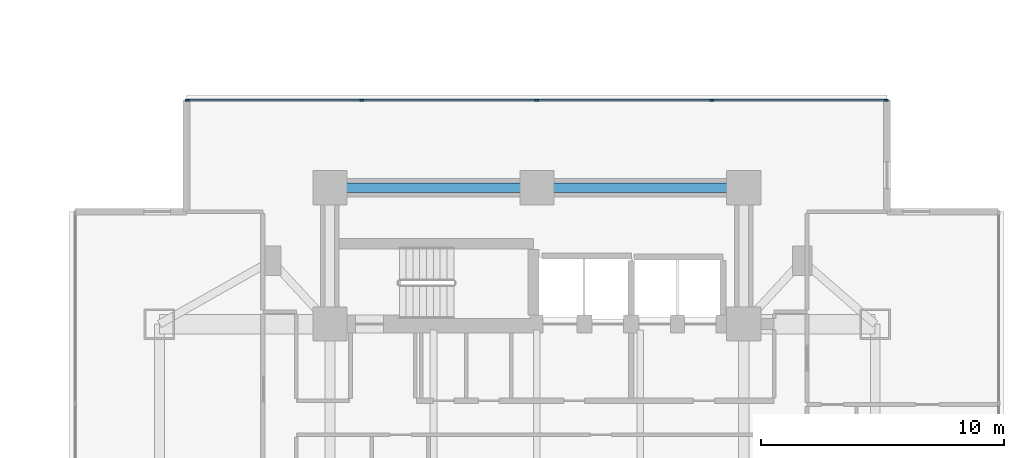
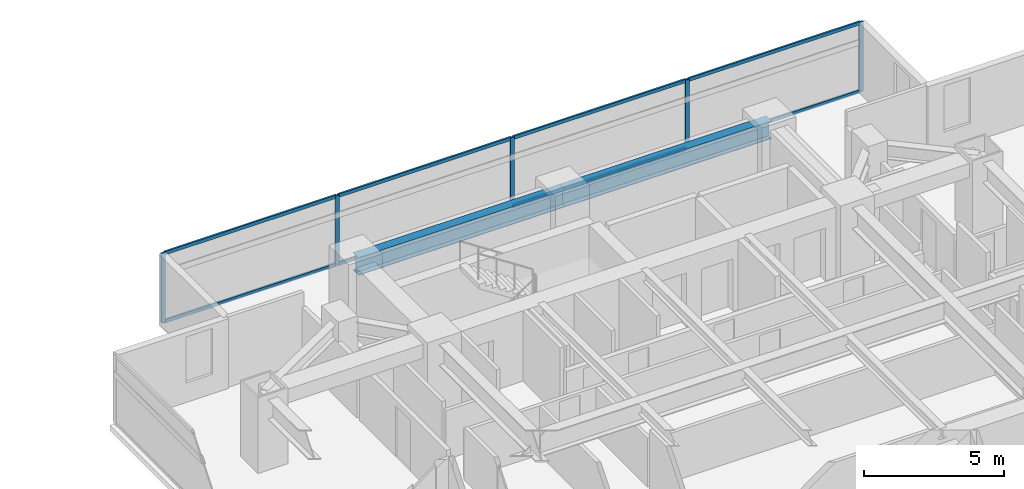
# One storey, part 12 of 26: 13 members, 2 beams, 1 element without a shape of its own.
"""IFC4 building model written with IfcOpenShell, lengths in metres."""

from ifc_helpers import new_model, si_unit, direction, frame, origin, origin_2d, place, context, subcontext, project, spatial, rectangle, i_section, extrude, material, material_profile, profile_set, type_object, element, aggregate, save


model = new_model("IFC4")

# Units and contexts
model_context = context("Model", 3, precision=1e-05, world=origin(), true_north=direction((0.0, 1.0)))
body_context = subcontext(model_context, "Body", "Model", "MODEL_VIEW")
ifc_project = project(units=[si_unit("LENGTHUNIT", "METRE"), si_unit("AREAUNIT", "SQUARE_METRE"), si_unit("VOLUMEUNIT", "CUBIC_METRE"), si_unit("PLANEANGLEUNIT", "RADIAN"), si_unit("MASSUNIT", "GRAM", prefix="KILO")], contexts=[model_context])

# Site, building, storey
site_placement = place(None, origin())
site = spatial("IfcSite", under=ifc_project, at=site_placement, CompositionType="ELEMENT")
building_placement = place(site_placement, origin())
building = spatial("IfcBuilding", under=site, at=building_placement, Name="Mirazonda Arch Towers", CompositionType="ELEMENT")
storey_placement = place(building_placement, frame((0.0, 0.0, 38.89990234375)))
storey = spatial("IfcBuildingStorey", under=building, at=storey_placement, Name="L10", CompositionType="ELEMENT", Elevation=38.89990234375)

# Beams
ifc_material_1 = material(Name="Steel ASTM A992 Grade 50", Category="steel")
ifc_material_profile_1 = material_profile(ifc_material_1, i_section(OverallWidth=0.381103515625, OverallDepth=0.77294921875, WebThickness=0.0166015625, FlangeThickness=0.027099609375, at=origin_2d()), Name="W30X173")
ifc_profile_set_1 = profile_set([ifc_material_profile_1], Name="Steel ASTM A992 Grade 50")
beam_type = type_object("IfcBeamType", Name="BM-INT-W30X173", PredefinedType="USERDEFINED", material=ifc_profile_set_1)
for number, where, z_axis, x_axis, name in (
    (1, (68.0, 40.800048828125, 2.673583984375), (1.0, 0.0, 0.0), (0.0, 1.0, 0.0), "L10 Floor Beam BM-T2-L10-CN1"),
    (2, (76.5, 40.800048828125, 2.673583984375), (1.0, 0.0, 0.0), (0.0, 1.0, 0.0), "L10 Floor Beam BM-T2-L10-CN2"),
):
    element("IfcBeam", number, at=place(storey_placement, frame(where, z_axis=z_axis, x_axis=x_axis)), inside=storey, type_object=beam_type, Name=name, ObjectType="GIRDER", PredefinedType="USERDEFINED", context=body_context, shape_type="SweptSolid", body=[
        extrude(i_section(OverallWidth=0.381103515625, OverallDepth=0.77294921875, WebThickness=0.0166015625, FlangeThickness=0.027099609375, at=origin_2d()), origin(), (0.0, 0.0, 1.0), 8.5),
    ])

# Curtain wall, members
ifc_material_2 = material(Name="Anodised Aluminium and Low-E Glass", Category="aluminium")
curtain_wall_type = type_object("IfcCurtainWallType", Name="CW-HTL-UNIT", PredefinedType="NOTDEFINED", material=ifc_material_2)
curtain_wall_placement = place(storey_placement, origin())
curtain_wall = element("IfcCurtainWall", 3, at=curtain_wall_placement, inside=storey, type_object=curtain_wall_type, Name="L10 T2 N Facade CW-L10-T2-N", PredefinedType="NOTDEFINED")
ifc_material_3 = material(Name="Anodised Aluminium Alloy", Category="aluminium")
ifc_material_profile_2 = material_profile(ifc_material_3, rectangle(XDim=0.074951171875, YDim=0.1650390625, at=origin_2d()), Name="ALU-MULL-75x165")
ifc_profile_set_2 = profile_set([ifc_material_profile_2], Name="Anodised Aluminium Alloy")
member_type_1 = type_object("IfcMemberType", Name="MULL-CW-HTL-UNIT", PredefinedType="MULLION", material=ifc_profile_set_2)
member_1_placement = place(storey_placement, frame((62.1474609375, 44.396484375, 0.0), z_axis=(0.0, 0.0, 1.0), x_axis=(0.0, 1.0, 0.0)))
member_1 = element("IfcMember", 4, at=member_1_placement, type_object=member_type_1, Name="CW-112 mullion 1", PredefinedType="MULLION", context=body_context, shape_type="SweptSolid", body=[
    extrude(rectangle(XDim=0.074951171875, YDim=0.1650390625, at=origin_2d()), origin(), (0.0, 0.0, 1.0), 3.0400390625),
])
member_2_placement = place(storey_placement, frame((69.304931640625, 44.396484375, 0.0), z_axis=(0.0, 0.0, 1.0), x_axis=(0.0, 1.0, 0.0)))
member_2 = element("IfcMember", 5, at=member_2_placement, type_object=member_type_1, Name="CW-112 mullion 2", PredefinedType="MULLION", context=body_context, shape_type="SweptSolid", body=[
    extrude(rectangle(XDim=0.074951171875, YDim=0.1650390625, at=origin_2d()), origin(), (0.0, 0.0, 1.0), 3.0400390625),
])
member_3_placement = place(storey_placement, frame((76.5, 44.396484375, 0.0), z_axis=(0.0, 0.0, 1.0), x_axis=(0.0, 1.0, 0.0)))
member_3 = element("IfcMember", 6, at=member_3_placement, type_object=member_type_1, Name="CW-112 mullion 3", PredefinedType="MULLION", context=body_context, shape_type="SweptSolid", body=[
    extrude(rectangle(XDim=0.074951171875, YDim=0.1650390625, at=origin_2d()), origin(), (0.0, 0.0, 1.0), 3.0400390625),
])
member_4_placement = place(storey_placement, frame((83.695068359375, 44.396484375, 0.0), z_axis=(0.0, 0.0, 1.0), x_axis=(0.0, 1.0, 0.0)))
member_4 = element("IfcMember", 7, at=member_4_placement, type_object=member_type_1, Name="CW-112 mullion 4", PredefinedType="MULLION", context=body_context, shape_type="SweptSolid", body=[
    extrude(rectangle(XDim=0.074951171875, YDim=0.1650390625, at=origin_2d()), origin(), (0.0, 0.0, 1.0), 3.0400390625),
])
member_5_placement = place(storey_placement, frame((90.8525390625, 44.396484375, 0.0), z_axis=(0.0, 0.0, 1.0), x_axis=(0.0, 1.0, 0.0)))
member_5 = element("IfcMember", 8, at=member_5_placement, type_object=member_type_1, Name="CW-112 mullion 5", PredefinedType="MULLION", context=body_context, shape_type="SweptSolid", body=[
    extrude(rectangle(XDim=0.074951171875, YDim=0.1650390625, at=origin_2d()), origin(), (0.0, 0.0, 1.0), 3.0400390625),
])
ifc_material_profile_3 = material_profile(ifc_material_3, rectangle(XDim=0.074951171875, YDim=0.14501953125, at=origin_2d()), Name="ALU-TRAN-75x145")
ifc_profile_set_3 = profile_set([ifc_material_profile_3], Name="Anodised Aluminium Alloy")
member_type_2 = type_object("IfcMemberType", Name="TRAN-CW-HTL-UNIT", PredefinedType="USERDEFINED", material=ifc_profile_set_3)
member_6_placement = place(storey_placement, frame((62.18505859375, 44.396484375, 0.03759765625), z_axis=(1.0, 0.0, 0.0), x_axis=(0.0, 1.0, 0.0)))
member_6 = element("IfcMember", 9, at=member_6_placement, type_object=member_type_2, Name="CW-112 transom 1.1", ObjectType="TRANSOM", PredefinedType="USERDEFINED", context=body_context, shape_type="SweptSolid", body=[
    extrude(rectangle(XDim=0.074951171875, YDim=0.14501953125, at=origin_2d()), origin(), (0.0, 0.0, 1.0), 7.08251953125),
])
member_7_placement = place(storey_placement, frame((62.18505859375, 44.396484375, 3.002685546875), z_axis=(1.0, 0.0, 0.0), x_axis=(0.0, 1.0, 0.0)))
member_7 = element("IfcMember", 10, at=member_7_placement, type_object=member_type_2, Name="CW-112 transom 1.2", ObjectType="TRANSOM", PredefinedType="USERDEFINED", context=body_context, shape_type="SweptSolid", body=[
    extrude(rectangle(XDim=0.074951171875, YDim=0.14501953125, at=origin_2d()), origin(), (0.0, 0.0, 1.0), 7.08251953125),
])
member_8_placement = place(storey_placement, frame((69.342529296875, 44.396484375, 0.03759765625), z_axis=(1.0, 0.0, 0.0), x_axis=(0.0, 1.0, 0.0)))
member_8 = element("IfcMember", 11, at=member_8_placement, type_object=member_type_2, Name="CW-112 transom 2.1", ObjectType="TRANSOM", PredefinedType="USERDEFINED", context=body_context, shape_type="SweptSolid", body=[
    extrude(rectangle(XDim=0.074951171875, YDim=0.14501953125, at=origin_2d()), origin(), (0.0, 0.0, 1.0), 7.119873046875),
])
member_9_placement = place(storey_placement, frame((69.342529296875, 44.396484375, 3.002685546875), z_axis=(1.0, 0.0, 0.0), x_axis=(0.0, 1.0, 0.0)))
member_9 = element("IfcMember", 12, at=member_9_placement, type_object=member_type_2, Name="CW-112 transom 2.2", ObjectType="TRANSOM", PredefinedType="USERDEFINED", context=body_context, shape_type="SweptSolid", body=[
    extrude(rectangle(XDim=0.074951171875, YDim=0.14501953125, at=origin_2d()), origin(), (0.0, 0.0, 1.0), 7.119873046875),
])
member_10_placement = place(storey_placement, frame((76.53759765625, 44.396484375, 0.03759765625), z_axis=(1.0, 0.0, 0.0), x_axis=(0.0, 1.0, 0.0)))
member_10 = element("IfcMember", 13, at=member_10_placement, type_object=member_type_2, Name="CW-112 transom 3.1", ObjectType="TRANSOM", PredefinedType="USERDEFINED", context=body_context, shape_type="SweptSolid", body=[
    extrude(rectangle(XDim=0.074951171875, YDim=0.14501953125, at=origin_2d()), origin(), (0.0, 0.0, 1.0), 7.119873046875),
])
member_11_placement = place(storey_placement, frame((76.53759765625, 44.396484375, 3.002685546875), z_axis=(1.0, 0.0, 0.0), x_axis=(0.0, 1.0, 0.0)))
member_11 = element("IfcMember", 14, at=member_11_placement, type_object=member_type_2, Name="CW-112 transom 3.2", ObjectType="TRANSOM", PredefinedType="USERDEFINED", context=body_context, shape_type="SweptSolid", body=[
    extrude(rectangle(XDim=0.074951171875, YDim=0.14501953125, at=origin_2d()), origin(), (0.0, 0.0, 1.0), 7.119873046875),
])
member_12_placement = place(storey_placement, frame((83.732421875, 44.396484375, 0.03759765625), z_axis=(1.0, 0.0, 0.0), x_axis=(0.0, 1.0, 0.0)))
member_12 = element("IfcMember", 15, at=member_12_placement, type_object=member_type_2, Name="CW-112 transom 4.1", ObjectType="TRANSOM", PredefinedType="USERDEFINED", context=body_context, shape_type="SweptSolid", body=[
    extrude(rectangle(XDim=0.074951171875, YDim=0.14501953125, at=origin_2d()), origin(), (0.0, 0.0, 1.0), 7.08251953125),
])
member_13_placement = place(storey_placement, frame((83.732421875, 44.396484375, 3.002685546875), z_axis=(1.0, 0.0, 0.0), x_axis=(0.0, 1.0, 0.0)))
member_13 = element("IfcMember", 16, at=member_13_placement, type_object=member_type_2, Name="CW-112 transom 4.2", ObjectType="TRANSOM", PredefinedType="USERDEFINED", context=body_context, shape_type="SweptSolid", body=[
    extrude(rectangle(XDim=0.074951171875, YDim=0.14501953125, at=origin_2d()), origin(), (0.0, 0.0, 1.0), 7.08251953125),
])
aggregate(curtain_wall, [member_1, member_2, member_3, member_4, member_5, member_6, member_7, member_8, member_9, member_10, member_11, member_12, member_13])

save(model, "model.ifc")
